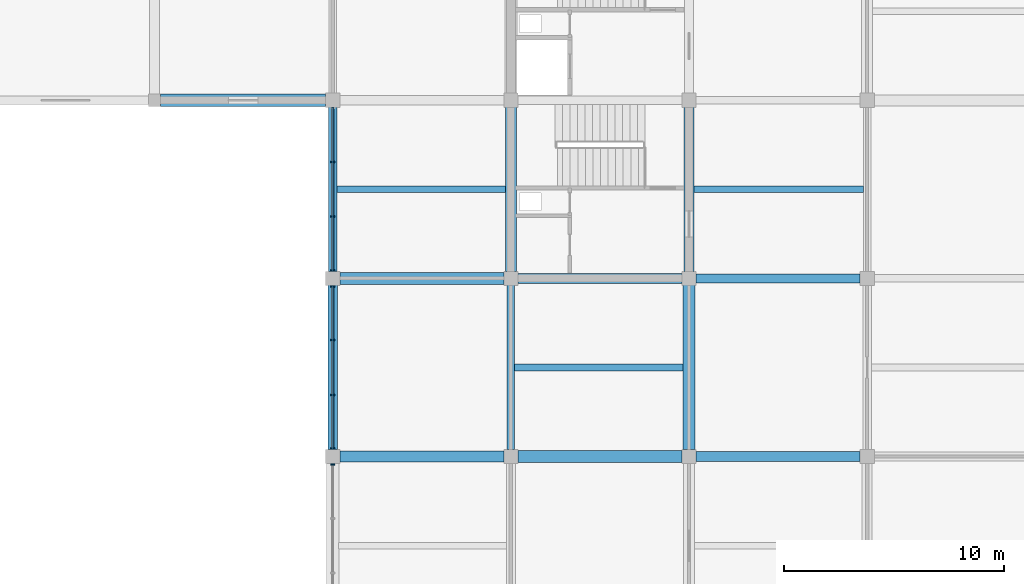
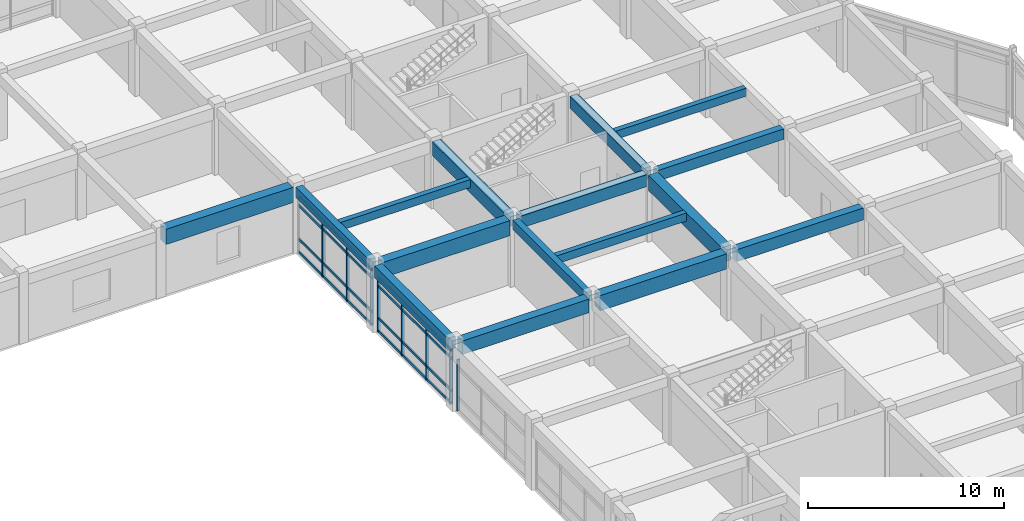
# One storey, part 17 of 40: 16 beams, 16 members, 3 elements without a shape of their own.
"""IFC4 building model written with IfcOpenShell, lengths in metres."""

from ifc_helpers import new_model, si_unit, direction, frame, origin, origin_2d, place, context, subcontext, project, spatial, rectangle, extrude, material, layer, layer_set, material_profile, profile_set, type_object, element, aggregate, save


model = new_model("IFC4")

# Units and contexts
model_context = context("Model", 3, precision=1e-05, world=origin(), true_north=direction((0.0, 1.0)))
body_context = subcontext(model_context, "Body", "Model", "MODEL_VIEW")
ifc_project = project(units=[si_unit("LENGTHUNIT", "METRE"), si_unit("AREAUNIT", "SQUARE_METRE"), si_unit("VOLUMEUNIT", "CUBIC_METRE"), si_unit("PLANEANGLEUNIT", "RADIAN"), si_unit("MASSUNIT", "GRAM", prefix="KILO")], contexts=[model_context])

# Site, building, storey
site_placement = place(None, origin())
site = spatial("IfcSite", under=ifc_project, at=site_placement, CompositionType="ELEMENT")
building_placement = place(site_placement, origin())
building = spatial("IfcBuilding", under=site, at=building_placement, Name="Vaudrelin Polytechnic", CompositionType="ELEMENT")
storey_placement = place(building_placement, frame((0.0, 0.0, 22.949951171875)))
storey = spatial("IfcBuildingStorey", under=building, at=storey_placement, Name="L05", CompositionType="ELEMENT", Elevation=22.949951171875)

# Beams
ifc_material_1 = material(Name="Concrete 40 MPa", Category="concrete")
ifc_material_profile_1 = material_profile(ifc_material_1, rectangle(XDim=0.35009765625, YDim=0.60009765625, at=origin_2d()), Name="RC350x600")
ifc_profile_set_1 = profile_set([ifc_material_profile_1], Name="Concrete 40 MPa")
beam_type_1 = type_object("IfcBeamType", Name="BM-BM-RC3560", PredefinedType="BEAM", material=ifc_profile_set_1)
beam_1_placement = place(storey_placement, frame((145.800048828125, 81.31005859375, 3.860107421875), z_axis=(0.0, 1.0, 0.0), x_axis=(-1.0, 0.0, 0.0)))
element("IfcBeam", 1, at=beam_1_placement, inside=storey, type_object=beam_type_1, Name="L05 Y-beam 19-11", PredefinedType="BEAM", context=body_context, shape_type="SweptSolid", body=[
    extrude(rectangle(XDim=0.35009765625, YDim=0.60009765625, at=origin_2d()), origin(), (0.0, 0.0, 1.0), 7.47998046875),
])
ifc_material_profile_2 = material_profile(ifc_material_1, rectangle(XDim=0.39990234375, YDim=0.64990234375, at=origin_2d()), Name="RC400x650")
ifc_profile_set_2 = profile_set([ifc_material_profile_2], Name="Concrete 40 MPa")
beam_type_2 = type_object("IfcBeamType", Name="BM-BM-RC4065", PredefinedType="BEAM", material=ifc_profile_set_2)
beam_2_placement = place(storey_placement, frame((154.220947265625, 89.10009765625, 3.8349609375), z_axis=(1.0, 0.0, 0.0), x_axis=(0.0, 1.0, 0.0)))
element("IfcBeam", 2, at=beam_2_placement, inside=storey, type_object=beam_type_2, Name="L05 X-beam 20-12", PredefinedType="BEAM", context=body_context, shape_type="SweptSolid", body=[
    extrude(rectangle(XDim=0.39990234375, YDim=0.64990234375, at=origin_2d()), origin(), (0.0, 0.0, 1.0), 7.4580078125),
])
ifc_material_profile_3 = material_profile(ifc_material_1, rectangle(XDim=0.449951171875, YDim=0.75, at=origin_2d()), Name="RC450x750")
ifc_profile_set_3 = profile_set([ifc_material_profile_3], Name="Concrete 40 MPa")
beam_type_3 = type_object("IfcBeamType", Name="BM-BM-RC4575", PredefinedType="BEAM", material=ifc_profile_set_3)
for number, where, z_axis, x_axis, name in (
    (3, (137.699951171875, 81.31005859375, 3.78515625), (0.0, 1.0, 0.0), (-1.0, 0.0, 0.0), "L05 Y-beam 18-11"),
    (4, (153.89990234375, 89.409912109375, 3.78515625), (0.0, 1.0, 0.0), (-1.0, 0.0, 0.0), "L05 Y-beam 20-12"),
):
    element("IfcBeam", number, at=place(storey_placement, frame(where, z_axis=z_axis, x_axis=x_axis)), inside=storey, type_object=beam_type_3, Name=name, PredefinedType="BEAM", context=body_context, shape_type="SweptSolid", body=[
        extrude(rectangle(XDim=0.449951171875, YDim=0.75, at=origin_2d()), origin(), (0.0, 0.0, 1.0), 7.47998046875),
    ])
for number, where, z_axis, x_axis, name in (
    (5, (146.12109375, 89.10009765625, 3.78515625), (1.0, 0.0, 0.0), (0.0, 1.0, 0.0), "L05 X-beam 19-12"),
    (6, (154.220947265625, 81.0, 3.78515625), (1.0, 0.0, 0.0), (0.0, 1.0, 0.0), "L05 X-beam 20-11"),
):
    element("IfcBeam", number, at=place(storey_placement, frame(where, z_axis=z_axis, x_axis=x_axis)), inside=storey, type_object=beam_type_3, Name=name, PredefinedType="BEAM", context=body_context, shape_type="SweptSolid", body=[
        extrude(rectangle(XDim=0.449951171875, YDim=0.75, at=origin_2d()), origin(), (0.0, 0.0, 1.0), 7.4580078125),
    ])
ifc_material_profile_4 = material_profile(ifc_material_1, rectangle(XDim=0.5, YDim=0.85009765625, at=origin_2d()), Name="RC500x850")
ifc_profile_set_4 = profile_set([ifc_material_profile_4], Name="Concrete 40 MPa")
beam_type_4 = type_object("IfcBeamType", Name="BM-BM-RC5085", PredefinedType="BEAM", material=ifc_profile_set_4)
beam_3_placement = place(storey_placement, frame((145.800048828125, 89.409912109375, 3.735107421875), z_axis=(0.0, 1.0, 0.0), x_axis=(-1.0, 0.0, 0.0)))
element("IfcBeam", 7, at=beam_3_placement, inside=storey, type_object=beam_type_4, Name="L05 Y-beam 19-12", PredefinedType="BEAM", context=body_context, shape_type="SweptSolid", body=[
    extrude(rectangle(XDim=0.5, YDim=0.85009765625, at=origin_2d()), origin(), (0.0, 0.0, 1.0), 7.47998046875),
])
beam_4_placement = place(storey_placement, frame((138.02099609375, 81.0, 3.735107421875), z_axis=(1.0, 0.0, 0.0), x_axis=(0.0, 1.0, 0.0)))
element("IfcBeam", 8, at=beam_4_placement, inside=storey, type_object=beam_type_4, Name="L05 X-beam 18-11", PredefinedType="BEAM", context=body_context, shape_type="SweptSolid", body=[
    extrude(rectangle(XDim=0.5, YDim=0.85009765625, at=origin_2d()), origin(), (0.0, 0.0, 1.0), 7.4580078125),
])
ifc_material_2 = material(Name="Concrete 50 MPa", Category="concrete")
ifc_material_profile_5 = material_profile(ifc_material_2, rectangle(XDim=0.550048828125, YDim=0.949951171875, at=origin_2d()), Name="RC550x950")
ifc_profile_set_5 = profile_set([ifc_material_profile_5], Name="Concrete 50 MPa")
beam_type_5 = type_object("IfcBeamType", Name="BM-BM-RC5595", PredefinedType="BEAM", material=ifc_profile_set_5)
beam_5_placement = place(storey_placement, frame((153.89990234375, 81.31005859375, 3.68505859375), z_axis=(0.0, 1.0, 0.0), x_axis=(-1.0, 0.0, 0.0)))
element("IfcBeam", 9, at=beam_5_placement, inside=storey, type_object=beam_type_5, Name="L05 Y-beam 20-11", PredefinedType="BEAM", context=body_context, shape_type="SweptSolid", body=[
    extrude(rectangle(XDim=0.550048828125, YDim=0.949951171875, at=origin_2d()), origin(), (0.0, 0.0, 1.0), 7.47998046875),
])
beam_6_placement = place(storey_placement, frame((129.87109375, 97.199951171875, 3.68505859375), z_axis=(1.0, 0.0, 0.0), x_axis=(0.0, 1.0, 0.0)))
element("IfcBeam", 10, at=beam_6_placement, inside=storey, type_object=beam_type_5, Name="L05 X-beam 17-13", PredefinedType="BEAM", context=body_context, shape_type="SweptSolid", body=[
    extrude(rectangle(XDim=0.550048828125, YDim=0.949951171875, at=origin_2d()), origin(), (0.0, 0.0, 1.0), 7.5078125),
])
for number, where, z_axis, x_axis, name in (
    (11, (138.02099609375, 89.10009765625, 3.68505859375), (1.0, 0.0, 0.0), (0.0, 1.0, 0.0), "L05 X-beam 18-12"),
    (12, (146.12109375, 81.0, 3.68505859375), (1.0, 0.0, 0.0), (0.0, 1.0, 0.0), "L05 X-beam 19-11"),
):
    element("IfcBeam", number, at=place(storey_placement, frame(where, z_axis=z_axis, x_axis=x_axis)), inside=storey, type_object=beam_type_5, Name=name, PredefinedType="BEAM", context=body_context, shape_type="SweptSolid", body=[
        extrude(rectangle(XDim=0.550048828125, YDim=0.949951171875, at=origin_2d()), origin(), (0.0, 0.0, 1.0), 7.4580078125),
    ])
ifc_material_profile_6 = material_profile(ifc_material_1, rectangle(XDim=0.300048828125, YDim=0.5, at=origin_2d()), Name="RC300x500")
ifc_profile_set_6 = profile_set([ifc_material_profile_6], Name="Concrete 40 MPa")
beam_type_6 = type_object("IfcBeamType", Name="BM-JS-RC3050", PredefinedType="JOIST", material=ifc_profile_set_6)
for number, where, z_axis, x_axis, name in (
    (13, (137.89599609375, 93.14990234375, 3.91015625), (1.0, 0.0, 0.0), (0.0, 1.0, 0.0), "L05 floor joist 18-12"),
    (14, (145.970947265625, 85.050048828125, 3.91015625), (1.0, 0.0, 0.0), (0.0, 1.0, 0.0), "L05 floor joist 19-11"),
):
    element("IfcBeam", number, at=place(storey_placement, frame(where, z_axis=z_axis, x_axis=x_axis)), inside=storey, type_object=beam_type_6, Name=name, PredefinedType="JOIST", context=body_context, shape_type="SweptSolid", body=[
        extrude(rectangle(XDim=0.300048828125, YDim=0.5, at=origin_2d()), origin(), (0.0, 0.0, 1.0), 7.657958984375),
    ])
beam_7_placement = place(storey_placement, frame((154.12109375, 93.14990234375, 3.91015625), z_axis=(1.0, 0.0, 0.0), x_axis=(0.0, 1.0, 0.0)))
element("IfcBeam", 15, at=beam_7_placement, inside=storey, type_object=beam_type_6, Name="L05 floor joist 20-12", PredefinedType="JOIST", context=body_context, shape_type="SweptSolid", body=[
    extrude(rectangle(XDim=0.300048828125, YDim=0.5, at=origin_2d()), origin(), (0.0, 0.0, 1.0), 7.7080078125),
])
ifc_material_profile_7 = material_profile(ifc_material_1, rectangle(XDim=0.39990234375, YDim=0.64990234375, at=origin_2d()), Name="RC400x650")
ifc_profile_set_7 = profile_set([ifc_material_profile_7], Name="Concrete 40 MPa")
beam_type_7 = type_object("IfcBeamType", Name="BM-SP-RC4065", PredefinedType="SPANDREL", material=ifc_profile_set_7)
beam_8_placement = place(storey_placement, frame((137.699951171875, 89.409912109375, 3.8349609375), z_axis=(0.0, 1.0, 0.0), x_axis=(-1.0, 0.0, 0.0)))
element("IfcBeam", 16, at=beam_8_placement, inside=storey, type_object=beam_type_7, Name="L05 Y-beam 18-12", PredefinedType="SPANDREL", context=body_context, shape_type="SweptSolid", body=[
    extrude(rectangle(XDim=0.39990234375, YDim=0.64990234375, at=origin_2d()), origin(), (0.0, 0.0, 1.0), 7.47998046875),
])

# Curtain wall, member
ifc_material_3 = material(Name="Thermally broken anodised aluminium AA 6063-T6 and low-e triple glazing", Category="aluminium")
ifc_layer = layer(ifc_material_3, 0.199951171875)
ifc_layer_set = layer_set([ifc_layer], Name="Thermally broken anodised aluminium AA 6063-T6 and low-e triple glazing")
curtain_wall_type = type_object("IfcCurtainWallType", Name="CW-CW-LAB", PredefinedType="USERDEFINED", material=ifc_layer_set)
curtain_wall_1_placement = place(storey_placement, origin())
curtain_wall_1 = element("IfcCurtainWall", 17, at=curtain_wall_1_placement, inside=storey, type_object=curtain_wall_type, Name="Curtain wall L05 W_V4_07", ObjectType="CURTAIN WALL", PredefinedType="USERDEFINED")
ifc_material_4 = material(Name="Anodised aluminium AA 6063-T6", Category="aluminium")
ifc_material_profile_8 = material_profile(ifc_material_4, rectangle(XDim=0.06494140625, YDim=0.179931640625, at=origin_2d()), Name="CWM-65x180")
ifc_profile_set_8 = profile_set([ifc_material_profile_8], Name="Anodised aluminium AA 6063-T6")
member_type_1 = type_object("IfcMemberType", Name="MEM-CWM-180", PredefinedType="MULLION", material=ifc_profile_set_8)
member_1_placement = place(storey_placement, frame((137.699951171875, 80.636962890625, 0.0), z_axis=(0.0, 0.0, 1.0), x_axis=(0.0, 1.0, 0.0)))
member_1 = element("IfcMember", 18, at=member_1_placement, type_object=member_type_1, Name="W_V4_07 mullion 4", PredefinedType="MULLION", context=body_context, shape_type="SweptSolid", body=[
    extrude(rectangle(XDim=0.06494140625, YDim=0.179931640625, at=origin_2d()), origin(), (0.0, 0.0, 1.0), 3.212158203125),
])
aggregate(curtain_wall_1, [member_1])

# Curtain wall, members
curtain_wall_2_placement = place(storey_placement, origin())
curtain_wall_2 = element("IfcCurtainWall", 19, at=curtain_wall_2_placement, inside=storey, type_object=curtain_wall_type, Name="Curtain wall L05 W_V4_08", ObjectType="CURTAIN WALL", PredefinedType="USERDEFINED")
member_2_placement = place(storey_placement, frame((137.699951171875, 81.363037109375, 0.0), z_axis=(0.0, 0.0, 1.0), x_axis=(0.0, 1.0, 0.0)))
member_2 = element("IfcMember", 20, at=member_2_placement, type_object=member_type_1, Name="W_V4_08 mullion 1", PredefinedType="MULLION", context=body_context, shape_type="SweptSolid", body=[
    extrude(rectangle(XDim=0.06494140625, YDim=0.179931640625, at=origin_2d()), origin(), (0.0, 0.0, 1.0), 3.412109375),
])
member_3_placement = place(storey_placement, frame((137.699951171875, 83.8076171875, 0.0), z_axis=(0.0, 0.0, 1.0), x_axis=(0.0, 1.0, 0.0)))
member_3 = element("IfcMember", 21, at=member_3_placement, type_object=member_type_1, Name="W_V4_08 mullion 2", PredefinedType="MULLION", context=body_context, shape_type="SweptSolid", body=[
    extrude(rectangle(XDim=0.06494140625, YDim=0.179931640625, at=origin_2d()), origin(), (0.0, 0.0, 1.0), 3.412109375),
])
member_4_placement = place(storey_placement, frame((137.699951171875, 86.292236328125, 0.0), z_axis=(0.0, 0.0, 1.0), x_axis=(0.0, 1.0, 0.0)))
member_4 = element("IfcMember", 22, at=member_4_placement, type_object=member_type_1, Name="W_V4_08 mullion 3", PredefinedType="MULLION", context=body_context, shape_type="SweptSolid", body=[
    extrude(rectangle(XDim=0.06494140625, YDim=0.179931640625, at=origin_2d()), origin(), (0.0, 0.0, 1.0), 3.412109375),
])
member_5_placement = place(storey_placement, frame((137.699951171875, 88.737060546875, 0.0), z_axis=(0.0, 0.0, 1.0), x_axis=(0.0, 1.0, 0.0)))
member_5 = element("IfcMember", 23, at=member_5_placement, type_object=member_type_1, Name="W_V4_08 mullion 4", PredefinedType="MULLION", context=body_context, shape_type="SweptSolid", body=[
    extrude(rectangle(XDim=0.06494140625, YDim=0.179931640625, at=origin_2d()), origin(), (0.0, 0.0, 1.0), 3.412109375),
])

curtain_wall_3_placement = place(storey_placement, origin())
curtain_wall_3 = element("IfcCurtainWall", 24, at=curtain_wall_3_placement, inside=storey, type_object=curtain_wall_type, Name="Curtain wall L05 W_V4_09", ObjectType="CURTAIN WALL", PredefinedType="USERDEFINED")
member_6_placement = place(storey_placement, frame((137.699951171875, 89.462890625, 0.0), z_axis=(0.0, 0.0, 1.0), x_axis=(0.0, 1.0, 0.0)))
member_6 = element("IfcMember", 25, at=member_6_placement, type_object=member_type_1, Name="W_V4_09 mullion 1", PredefinedType="MULLION", context=body_context, shape_type="SweptSolid", body=[
    extrude(rectangle(XDim=0.06494140625, YDim=0.179931640625, at=origin_2d()), origin(), (0.0, 0.0, 1.0), 3.511962890625),
])
member_7_placement = place(storey_placement, frame((137.699951171875, 91.90771484375, 0.0), z_axis=(0.0, 0.0, 1.0), x_axis=(0.0, 1.0, 0.0)))
member_7 = element("IfcMember", 26, at=member_7_placement, type_object=member_type_1, Name="W_V4_09 mullion 2", PredefinedType="MULLION", context=body_context, shape_type="SweptSolid", body=[
    extrude(rectangle(XDim=0.06494140625, YDim=0.179931640625, at=origin_2d()), origin(), (0.0, 0.0, 1.0), 3.511962890625),
])
member_8_placement = place(storey_placement, frame((137.699951171875, 94.392333984375, 0.0), z_axis=(0.0, 0.0, 1.0), x_axis=(0.0, 1.0, 0.0)))
member_8 = element("IfcMember", 27, at=member_8_placement, type_object=member_type_1, Name="W_V4_09 mullion 3", PredefinedType="MULLION", context=body_context, shape_type="SweptSolid", body=[
    extrude(rectangle(XDim=0.06494140625, YDim=0.179931640625, at=origin_2d()), origin(), (0.0, 0.0, 1.0), 3.511962890625),
])

# Member
ifc_material_profile_9 = material_profile(ifc_material_4, rectangle(XDim=0.074951171875, YDim=0.1650390625, at=origin_2d()), Name="CWT-75x165")
ifc_profile_set_9 = profile_set([ifc_material_profile_9], Name="Anodised aluminium AA 6063-T6")
member_type_2 = type_object("IfcMemberType", Name="MEM-CWT-165", PredefinedType="USERDEFINED", material=ifc_profile_set_9)
member_9_placement = place(storey_placement, frame((137.699951171875, 81.322998046875, 0.050048828125), z_axis=(0.0, 1.0, 0.0), x_axis=(-1.0, 0.0, 0.0)))
member_9 = element("IfcMember", 28, at=member_9_placement, type_object=member_type_2, Name="W_V4_08 transom 1", ObjectType="TRANSOM", PredefinedType="USERDEFINED", context=body_context, shape_type="SweptSolid", body=[
    extrude(rectangle(XDim=0.074951171875, YDim=0.1650390625, at=origin_2d()), origin(), (0.0, 0.0, 1.0), 7.4541015625),
])

member_10_placement = place(storey_placement, frame((137.699951171875, 81.322998046875, 0.85009765625), z_axis=(0.0, 1.0, 0.0), x_axis=(-1.0, 0.0, 0.0)))
member_10 = element("IfcMember", 29, at=member_10_placement, type_object=member_type_2, Name="W_V4_08 transom 2", ObjectType="TRANSOM", PredefinedType="USERDEFINED", context=body_context, shape_type="SweptSolid", body=[
    extrude(rectangle(XDim=0.074951171875, YDim=0.1650390625, at=origin_2d()), origin(), (0.0, 0.0, 1.0), 7.4541015625),
])

member_11_placement = place(storey_placement, frame((137.699951171875, 81.322998046875, 2.862060546875), z_axis=(0.0, 1.0, 0.0), x_axis=(-1.0, 0.0, 0.0)))
member_11 = element("IfcMember", 30, at=member_11_placement, type_object=member_type_2, Name="W_V4_08 transom 3", ObjectType="TRANSOM", PredefinedType="USERDEFINED", context=body_context, shape_type="SweptSolid", body=[
    extrude(rectangle(XDim=0.074951171875, YDim=0.1650390625, at=origin_2d()), origin(), (0.0, 0.0, 1.0), 7.4541015625),
])

member_12_placement = place(storey_placement, frame((137.699951171875, 81.322998046875, 3.362060546875), z_axis=(0.0, 1.0, 0.0), x_axis=(-1.0, 0.0, 0.0)))
member_12 = element("IfcMember", 31, at=member_12_placement, type_object=member_type_2, Name="W_V4_08 transom 4", ObjectType="TRANSOM", PredefinedType="USERDEFINED", context=body_context, shape_type="SweptSolid", body=[
    extrude(rectangle(XDim=0.074951171875, YDim=0.1650390625, at=origin_2d()), origin(), (0.0, 0.0, 1.0), 7.4541015625),
])

aggregate(curtain_wall_2, [member_2, member_3, member_4, member_5, member_9, member_10, member_11, member_12])

member_13_placement = place(storey_placement, frame((137.699951171875, 89.423095703125, 0.050048828125), z_axis=(0.0, 1.0, 0.0), x_axis=(-1.0, 0.0, 0.0)))
member_13 = element("IfcMember", 32, at=member_13_placement, type_object=member_type_2, Name="W_V4_09 transom 1", ObjectType="TRANSOM", PredefinedType="USERDEFINED", context=body_context, shape_type="SweptSolid", body=[
    extrude(rectangle(XDim=0.074951171875, YDim=0.1650390625, at=origin_2d()), origin(), (0.0, 0.0, 1.0), 7.453857421875),
])

member_14_placement = place(storey_placement, frame((137.699951171875, 89.423095703125, 0.85009765625), z_axis=(0.0, 1.0, 0.0), x_axis=(-1.0, 0.0, 0.0)))
member_14 = element("IfcMember", 33, at=member_14_placement, type_object=member_type_2, Name="W_V4_09 transom 2", ObjectType="TRANSOM", PredefinedType="USERDEFINED", context=body_context, shape_type="SweptSolid", body=[
    extrude(rectangle(XDim=0.074951171875, YDim=0.1650390625, at=origin_2d()), origin(), (0.0, 0.0, 1.0), 7.453857421875),
])

member_15_placement = place(storey_placement, frame((137.699951171875, 89.423095703125, 2.962158203125), z_axis=(0.0, 1.0, 0.0), x_axis=(-1.0, 0.0, 0.0)))
member_15 = element("IfcMember", 34, at=member_15_placement, type_object=member_type_2, Name="W_V4_09 transom 3", ObjectType="TRANSOM", PredefinedType="USERDEFINED", context=body_context, shape_type="SweptSolid", body=[
    extrude(rectangle(XDim=0.074951171875, YDim=0.1650390625, at=origin_2d()), origin(), (0.0, 0.0, 1.0), 7.453857421875),
])

member_16_placement = place(storey_placement, frame((137.699951171875, 89.423095703125, 3.462158203125), z_axis=(0.0, 1.0, 0.0), x_axis=(-1.0, 0.0, 0.0)))
member_16 = element("IfcMember", 35, at=member_16_placement, type_object=member_type_2, Name="W_V4_09 transom 4", ObjectType="TRANSOM", PredefinedType="USERDEFINED", context=body_context, shape_type="SweptSolid", body=[
    extrude(rectangle(XDim=0.074951171875, YDim=0.1650390625, at=origin_2d()), origin(), (0.0, 0.0, 1.0), 7.453857421875),
])

aggregate(curtain_wall_3, [member_6, member_7, member_8, member_13, member_14, member_15, member_16])

save(model, "model.ifc")
